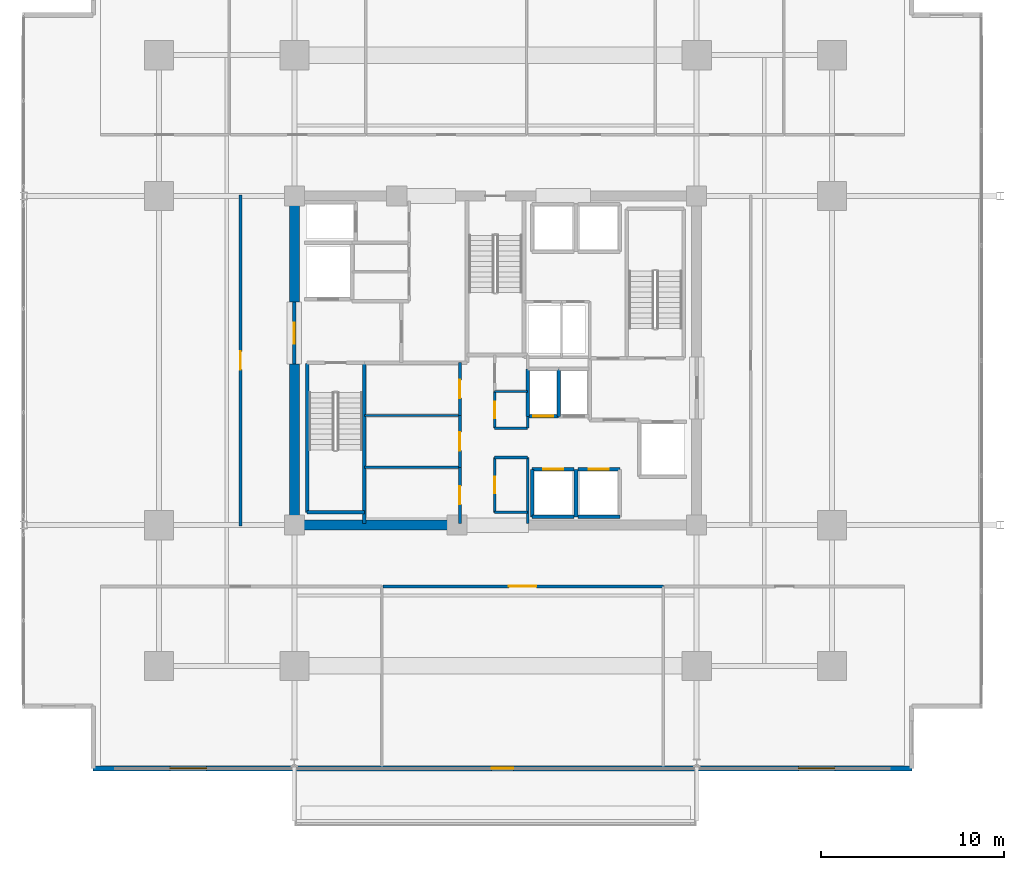
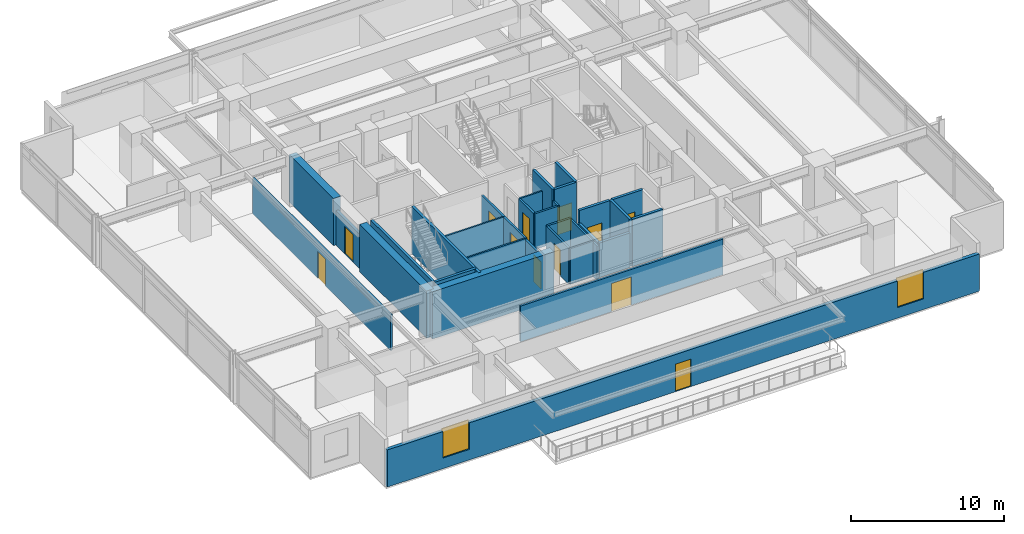
# One storey, part 15 of 23: 32 walls, 12 doors, 2 windows, 14 openings.
"""IFC4 building model written with IfcOpenShell, lengths in metres."""

from ifc_helpers import new_model, si_unit, direction, frame, frame_2d, origin, place, context, subcontext, project, spatial, rectangle, extrude, material, layer, layer_set, type_object, element, fill, save


model = new_model("IFC4")

# Units and contexts
model_context = context("Model", 3, precision=1e-05, world=origin(), true_north=direction((0.0, 1.0)))
body_context = subcontext(model_context, "Body", "Model", "MODEL_VIEW")
ifc_project = project(units=[si_unit("LENGTHUNIT", "METRE"), si_unit("AREAUNIT", "SQUARE_METRE"), si_unit("VOLUMEUNIT", "CUBIC_METRE"), si_unit("PLANEANGLEUNIT", "RADIAN"), si_unit("MASSUNIT", "GRAM", prefix="KILO")], contexts=[model_context])

# Site, building, storey
site_placement = place(None, origin())
site = spatial("IfcSite", under=ifc_project, at=site_placement, CompositionType="ELEMENT")
building_placement = place(site_placement, origin())
building = spatial("IfcBuilding", under=site, at=building_placement, Name="Kovane Verandah Tower", CompositionType="ELEMENT")
storey_placement = place(building_placement, frame((0.0, 0.0, 148.39990234375)))
storey = spatial("IfcBuildingStorey", under=building, at=storey_placement, Name="L34", CompositionType="ELEMENT", Elevation=148.39990234375)

# Walls
ifc_material_1 = material(Name="Fire-Rated Gypsum Stud Partition", Category="gypsum")
ifc_layer_1 = layer(ifc_material_1, 0.14990234375)
ifc_layer_set_1 = layer_set([ifc_layer_1], Name="Fire-Rated Gypsum Stud Partition")
wall_type_1 = type_object("IfcWallType", Name="WL-COR-150", PredefinedType="PARTITIONING", material=ifc_layer_set_1)
for number, where, z_axis, x_axis, name in (
    (1, (39.949951171875, 19.199951171875, 0.0), (0.0, 0.0, 1.0), (1.0, 0.0, 0.0), "L34 Central Core Strip South Wall"),
    (2, (39.949951171875, 22.199951171875, 0.0), (0.0, 0.0, 1.0), (1.0, 0.0, 0.0), "L34 Core Cross-Passage South Wall"),
    (3, (39.949951171875, 23.800048828125, 0.0), (0.0, 0.0, 1.0), (1.0, 0.0, 0.0), "L34 Core Cross-Passage North Wall"),
):
    element("IfcWall", number, at=place(storey_placement, frame(where, z_axis=z_axis, x_axis=x_axis)), inside=storey, type_object=wall_type_1, Name=name, PredefinedType="PARTITIONING", context=body_context, shape_type="SweptSolid", body=[
        extrude(rectangle(XDim=1.81005859375, YDim=0.14990234375, at=frame_2d((0.905029296875, 0.0))), origin(), (0.0, 0.0, 1.0), 2.85009765625),
    ])
wall_1_placement = place(storey_placement, frame((41.760009765625, 18.60009765625, 0.0), z_axis=(0.0, 0.0, 1.0), x_axis=(0.0, 1.0, 0.0)))
element("IfcWall", 4, at=wall_1_placement, inside=storey, type_object=wall_type_1, Name="L34 Central Core Strip Lower East Wall", PredefinedType="PARTITIONING", context=body_context, shape_type="SweptSolid", body=[
    extrude(rectangle(XDim=3.599853515625, YDim=0.14990234375, at=frame_2d((1.7998046875, 0.0))), origin(), (0.0, 0.0, 1.0), 2.755126953125),
])
wall_2_placement = place(storey_placement, frame((41.760009765625, 23.800048828125, 0.0), z_axis=(0.0, 0.0, 1.0), x_axis=(0.0, 1.0, 0.0)))
element("IfcWall", 5, at=wall_2_placement, inside=storey, type_object=wall_type_1, Name="L34 Central Core Strip Middle East Wall", PredefinedType="PARTITIONING", context=body_context, shape_type="SweptSolid", body=[
    extrude(rectangle(XDim=0.64990234375, YDim=0.14990234375, at=frame_2d((0.324951171875, 0.0))), origin(), (0.0, 0.0, 1.0), 2.85009765625),
])

# Wall, opening, door
wall_3_placement = place(storey_placement, frame((39.949951171875, 19.199951171875, 0.0), z_axis=(0.0, 0.0, 1.0), x_axis=(0.0, 1.0, 0.0)))
wall_3 = element("IfcWall", 6, at=wall_3_placement, inside=storey, type_object=wall_type_1, Name="L34 Male Toilet Partition", PredefinedType="PARTITIONING", context=body_context, shape_type="SweptSolid", body=[
    extrude(rectangle(XDim=3.0, YDim=0.14990234375, at=frame_2d((1.5, 0.0))), origin(), (0.0, 0.0, 1.0), 2.85009765625),
])
opening_1_placement = place(wall_3_placement, frame((1.050048828125, 0.0, 0.0)))
opening_1 = element("IfcOpeningElement", 7, at=opening_1_placement, cuts=wall_3, Name="Opening DR-L34-031", PredefinedType="OPENING", context=body_context, shape_type="SweptSolid", body=[
    extrude(rectangle(XDim=0.89990234375, YDim=2.10009765625, at=frame_2d((0.449951171875, 1.050048828125))), frame((0.0, 0.074951171875, 0.0), z_axis=(0.0, -1.0, 0.0), x_axis=(1.0, 0.0, 0.0)), (0.0, 0.0, 1.0), 0.14990234375),
])
ifc_material_2 = material(Name="Moisture-Resistant Laminate Washroom Door", Category="wood")
door_type_1 = type_object("IfcDoorType", Name="DR-WC-900", OperationType="SINGLE_SWING_LEFT", PredefinedType="DOOR", material=ifc_material_2)
door_1_placement = place(opening_1_placement, origin())
door_1 = element("IfcDoor", 8, at=door_1_placement, inside=storey, type_object=door_type_1, Name="L34 Male Toilet Door", OperationType="SINGLE_SWING_RIGHT", OverallHeight=2.10009765625, OverallWidth=0.89990234375, PredefinedType="DOOR", context=body_context, shape_type="SweptSolid", body=[
    extrude(rectangle(XDim=0.89990234375, YDim=2.10009765625, at=frame_2d((0.449951171875, 1.050048828125))), frame((0.0, 0.02490234375, 0.0), z_axis=(0.0, -1.0, 0.0), x_axis=(1.0, 0.0, 0.0)), (0.0, 0.0, 1.0), 0.050048828125),
])
fill(opening_1, door_1)

wall_4_placement = place(storey_placement, frame((39.949951171875, 23.800048828125, 0.0), z_axis=(0.0, 0.0, 1.0), x_axis=(0.0, 1.0, 0.0)))
wall_4 = element("IfcWall", 9, at=wall_4_placement, inside=storey, type_object=wall_type_1, Name="L34 Female Toilet Partition", PredefinedType="PARTITIONING", context=body_context, shape_type="SweptSolid", body=[
    extrude(rectangle(XDim=2.0, YDim=0.14990234375, at=frame_2d((1.0, 0.0))), origin(), (0.0, 0.0, 1.0), 2.85009765625),
])
opening_2_placement = place(wall_4_placement, frame((0.550048828125, 0.0, 0.0)))
opening_2 = element("IfcOpeningElement", 10, at=opening_2_placement, cuts=wall_4, Name="Opening DR-L34-030", PredefinedType="OPENING", context=body_context, shape_type="SweptSolid", body=[
    extrude(rectangle(XDim=0.89990234375, YDim=2.10009765625, at=frame_2d((0.449951171875, 1.050048828125))), frame((0.0, 0.074951171875, 0.0), z_axis=(0.0, -1.0, 0.0), x_axis=(1.0, 0.0, 0.0)), (0.0, 0.0, 1.0), 0.14990234375),
])
door_2_placement = place(opening_2_placement, origin())
door_2 = element("IfcDoor", 11, at=door_2_placement, inside=storey, type_object=door_type_1, Name="L34 Female Toilet Door", OperationType="SINGLE_SWING_LEFT", OverallHeight=2.10009765625, OverallWidth=0.89990234375, PredefinedType="DOOR", context=body_context, shape_type="SweptSolid", body=[
    extrude(rectangle(XDim=0.89990234375, YDim=2.10009765625, at=frame_2d((0.449951171875, 1.050048828125))), frame((0.0, 0.02490234375, 0.0), z_axis=(0.0, -1.0, 0.0), x_axis=(1.0, 0.0, 0.0)), (0.0, 0.0, 1.0), 0.050048828125),
])
fill(opening_2, door_2)

wall_5_placement = place(storey_placement, frame((38.050048828125, 18.60009765625, 0.0), z_axis=(0.0, 0.0, 1.0), x_axis=(0.0, 1.0, 0.0)))
wall_5 = element("IfcWall", 12, at=wall_5_placement, inside=storey, type_object=wall_type_1, Name="L34 Project Archive Room Partition", PredefinedType="PARTITIONING", context=body_context, shape_type="SweptSolid", body=[
    extrude(rectangle(XDim=3.059814453125, YDim=0.14990234375, at=frame_2d((1.52978515625, 0.0))), origin(), (0.0, 0.0, 1.0), 2.755126953125),
])
opening_3_placement = place(wall_5_placement, frame((1.030029296875, 0.0, 0.0)))
opening_3 = element("IfcOpeningElement", 13, at=opening_3_placement, cuts=wall_5, Name="Opening DR-L34-014", PredefinedType="OPENING", context=body_context, shape_type="SweptSolid", body=[
    extrude(rectangle(XDim=1.0, YDim=2.14990234375, at=frame_2d((0.5, 1.074951171875))), frame((0.0, 0.074951171875, 0.0), z_axis=(0.0, -1.0, 0.0), x_axis=(1.0, 0.0, 0.0)), (0.0, 0.0, 1.0), 0.14990234375),
])
ifc_material_3 = material(Name="FSC Spotted-Gum Timber Fire-Rated Office Door", Category="wood")
door_type_2 = type_object("IfcDoorType", Name="DR-OFF-1000", OperationType="SINGLE_SWING_LEFT", PredefinedType="DOOR", material=ifc_material_3)
door_3_placement = place(opening_3_placement, origin())
door_3 = element("IfcDoor", 14, at=door_3_placement, inside=storey, type_object=door_type_2, Name="L34 Project Archive Room Door", OperationType="SINGLE_SWING_RIGHT", OverallHeight=2.14990234375, OverallWidth=1.0, PredefinedType="DOOR", context=body_context, shape_type="SweptSolid", body=[
    extrude(rectangle(XDim=1.0, YDim=2.14990234375, at=frame_2d((0.5, 1.074951171875))), frame((0.0, 0.02490234375, 0.0), z_axis=(0.0, -1.0, 0.0), x_axis=(1.0, 0.0, 0.0)), (0.0, 0.0, 1.0), 0.050048828125),
])
fill(opening_3, door_3)

wall_6_placement = place(storey_placement, frame((38.050048828125, 21.659912109375, 0.0), z_axis=(0.0, 0.0, 1.0), x_axis=(0.0, 1.0, 0.0)))
wall_6 = element("IfcWall", 15, at=wall_6_placement, inside=storey, type_object=wall_type_1, Name="L34 First Aid and Wellness Room Partition", PredefinedType="PARTITIONING", context=body_context, shape_type="SweptSolid", body=[
    extrude(rectangle(XDim=2.840087890625, YDim=0.14990234375, at=frame_2d((1.419921875, 0.0))), origin(), (0.0, 0.0, 1.0), 2.85009765625),
])
opening_4_placement = place(wall_6_placement, frame((0.919921875, 0.0, 0.0)))
opening_4 = element("IfcOpeningElement", 16, at=opening_4_placement, cuts=wall_6, Name="Opening DR-L34-015", PredefinedType="OPENING", context=body_context, shape_type="SweptSolid", body=[
    extrude(rectangle(XDim=1.0, YDim=2.14990234375, at=frame_2d((0.5, 1.074951171875))), frame((0.0, 0.074951171875, 0.0), z_axis=(0.0, -1.0, 0.0), x_axis=(1.0, 0.0, 0.0)), (0.0, 0.0, 1.0), 0.14990234375),
])
door_4_placement = place(opening_4_placement, origin())
door_4 = element("IfcDoor", 17, at=door_4_placement, inside=storey, type_object=door_type_2, Name="L34 First Aid and Wellness Room Door", OperationType="SINGLE_SWING_LEFT", OverallHeight=2.14990234375, OverallWidth=1.0, PredefinedType="DOOR", context=body_context, shape_type="SweptSolid", body=[
    extrude(rectangle(XDim=1.0, YDim=2.14990234375, at=frame_2d((0.5, 1.074951171875))), frame((0.0, 0.02490234375, 0.0), z_axis=(0.0, -1.0, 0.0), x_axis=(1.0, 0.0, 0.0)), (0.0, 0.0, 1.0), 0.050048828125),
])
fill(opening_4, door_4)

wall_7_placement = place(storey_placement, frame((38.050048828125, 24.5, 0.0), z_axis=(0.0, 0.0, 1.0), x_axis=(0.0, 1.0, 0.0)))
wall_7 = element("IfcWall", 18, at=wall_7_placement, inside=storey, type_object=wall_type_1, Name="L34 Tea and Copy Hub Partition", PredefinedType="PARTITIONING", context=body_context, shape_type="SweptSolid", body=[
    extrude(rectangle(XDim=2.8798828125, YDim=0.14990234375, at=frame_2d((1.43994140625, 0.0))), origin(), (0.0, 0.0, 1.0), 2.85009765625),
])
opening_5_placement = place(wall_7_placement, frame((0.93994140625, 0.0, 0.0)))
opening_5 = element("IfcOpeningElement", 19, at=opening_5_placement, cuts=wall_7, Name="Opening DR-L34-016", PredefinedType="OPENING", context=body_context, shape_type="SweptSolid", body=[
    extrude(rectangle(XDim=1.0, YDim=2.14990234375, at=frame_2d((0.5, 1.074951171875))), frame((0.0, 0.074951171875, 0.0), z_axis=(0.0, -1.0, 0.0), x_axis=(1.0, 0.0, 0.0)), (0.0, 0.0, 1.0), 0.14990234375),
])
door_5_placement = place(opening_5_placement, origin())
door_5 = element("IfcDoor", 20, at=door_5_placement, inside=storey, type_object=door_type_2, Name="L34 Tea and Copy Hub Door", OperationType="SINGLE_SWING_RIGHT", OverallHeight=2.14990234375, OverallWidth=1.0, PredefinedType="DOOR", context=body_context, shape_type="SweptSolid", body=[
    extrude(rectangle(XDim=1.0, YDim=2.14990234375, at=frame_2d((0.5, 1.074951171875))), frame((0.0, 0.02490234375, 0.0), z_axis=(0.0, -1.0, 0.0), x_axis=(1.0, 0.0, 0.0)), (0.0, 0.0, 1.0), 0.050048828125),
])
fill(opening_5, door_5)

wall_8_placement = place(storey_placement, frame((33.853759765625, 15.14990234375, 0.0), z_axis=(0.0, 0.0, 1.0), x_axis=(1.0, 0.0, 0.0)))
wall_8 = element("IfcWall", 21, at=wall_8_placement, inside=storey, type_object=wall_type_1, Name="L34 Client Boardroom S2 Corridor Partition", PredefinedType="PARTITIONING", context=body_context, shape_type="SweptSolid", body=[
    extrude(rectangle(XDim=15.319091796875, YDim=0.14990234375, at=frame_2d((7.65966796875, 0.0))), origin(), (0.0, 0.0, 1.0), 2.85009765625),
])
opening_6_placement = place(wall_8_placement, frame((6.87451171875, 0.0, 0.0)))
opening_6 = element("IfcOpeningElement", 22, at=opening_6_placement, cuts=wall_8, Name="Opening DR-L34-026", PredefinedType="OPENING", context=body_context, shape_type="SweptSolid", body=[
    extrude(rectangle(XDim=1.5, YDim=2.25, at=frame_2d((0.75, 1.125))), frame((0.0, 0.074951171875, 0.0), z_axis=(0.0, -1.0, 0.0), x_axis=(1.0, 0.0, 0.0)), (0.0, 0.0, 1.0), 0.14990234375),
])
ifc_material_4 = material(Name="Glazed Timber Fire-Rated Double Door", Category="wood")
door_type_3 = type_object("IfcDoorType", Name="DR-CONF-1500", OperationType="DOUBLE_DOOR_SINGLE_SWING", PredefinedType="DOOR", material=ifc_material_4)
door_6_placement = place(opening_6_placement, origin())
door_6 = element("IfcDoor", 23, at=door_6_placement, inside=storey, type_object=door_type_3, Name="L34 Client Boardroom S2 Entrance Door", OperationType="DOUBLE_DOOR_SINGLE_SWING", OverallHeight=2.25, OverallWidth=1.5, PredefinedType="DOOR", context=body_context, shape_type="SweptSolid", body=[
    extrude(rectangle(XDim=1.5, YDim=2.25, at=frame_2d((0.75, 1.125))), frame((0.0, 0.02490234375, 0.0), z_axis=(0.0, -1.0, 0.0), x_axis=(1.0, 0.0, 0.0)), (0.0, 0.0, 1.0), 0.050048828125),
])
fill(opening_6, door_6)

wall_9_placement = place(storey_placement, frame((26.050048828125, 18.449951171875, 0.0), z_axis=(0.0, 0.0, 1.0), x_axis=(0.0, 1.0, 0.0)))
wall_9 = element("IfcWall", 24, at=wall_9_placement, inside=storey, type_object=wall_type_1, Name="L34 Focus Studio W1 Corridor Partition", PredefinedType="PARTITIONING", context=body_context, shape_type="SweptSolid", body=[
    extrude(rectangle(XDim=18.10009765625, YDim=0.14990234375, at=frame_2d((9.050048828125, 0.0))), origin(), (0.0, 0.0, 1.0), 2.85009765625),
])
opening_7_placement = place(wall_9_placement, frame((8.550048828125, 0.0, 0.0)))
opening_7 = element("IfcOpeningElement", 25, at=opening_7_placement, cuts=wall_9, Name="Opening DR-L34-032", PredefinedType="OPENING", context=body_context, shape_type="SweptSolid", body=[
    extrude(rectangle(XDim=1.0, YDim=2.14990234375, at=frame_2d((0.5, 1.074951171875))), frame((0.0, 0.074951171875, 0.0), z_axis=(0.0, -1.0, 0.0), x_axis=(1.0, 0.0, 0.0)), (0.0, 0.0, 1.0), 0.14990234375),
])
door_7_placement = place(opening_7_placement, origin())
door_7 = element("IfcDoor", 26, at=door_7_placement, inside=storey, type_object=door_type_2, Name="L34 Focus Studio W1 Entrance Door", OperationType="SINGLE_SWING_RIGHT", OverallHeight=2.14990234375, OverallWidth=1.0, PredefinedType="DOOR", context=body_context, shape_type="SweptSolid", body=[
    extrude(rectangle(XDim=1.0, YDim=2.14990234375, at=frame_2d((0.5, 1.074951171875))), frame((0.0, 0.02490234375, 0.0), z_axis=(0.0, -1.0, 0.0), x_axis=(1.0, 0.0, 0.0)), (0.0, 0.0, 1.0), 0.050048828125),
])
fill(opening_7, door_7)

# Walls
ifc_material_5 = material(Name="Concrete C60/75", Category="concrete")
ifc_layer_2 = layer(ifc_material_5, 0.550048828125)
ifc_layer_set_2 = layer_set([ifc_layer_2], Name="Concrete C60/75")
wall_type_2 = type_object("IfcWallType", Name="WL-CORE-550", PredefinedType="SHEAR", material=ifc_layer_set_2)
wall_10_placement = place(storey_placement, frame((29.0, 18.5, 0.0), z_axis=(0.0, 0.0, 1.0), x_axis=(1.0, 0.0, 0.0)))
element("IfcWall", 27, at=wall_10_placement, inside=storey, type_object=wall_type_2, Name="L34 Core Shear Wall CS-1", PredefinedType="SHEAR", context=body_context, shape_type="SweptSolid", body=[
    extrude(rectangle(XDim=9.199951171875, YDim=0.550048828125, at=frame_2d((4.60009765625, 0.0))), origin(), (0.0, 0.0, 1.0), 3.775146484375),
])
wall_11_placement = place(storey_placement, frame((29.0, 18.5, 0.0), z_axis=(0.0, 0.0, 1.0), x_axis=(0.0, 1.0, 0.0)))
element("IfcWall", 28, at=wall_11_placement, inside=storey, type_object=wall_type_2, Name="L34 Core Shear Wall CW-1", PredefinedType="SHEAR", context=body_context, shape_type="SweptSolid", body=[
    extrude(rectangle(XDim=8.800048828125, YDim=0.550048828125, at=frame_2d((4.39990234375, 0.0))), origin(), (0.0, 0.0, 1.0), 3.775146484375),
])
wall_12_placement = place(storey_placement, frame((29.0, 30.699951171875, 0.0), z_axis=(0.0, 0.0, 1.0), x_axis=(0.0, 1.0, 0.0)))
element("IfcWall", 29, at=wall_12_placement, inside=storey, type_object=wall_type_2, Name="L34 Core Shear Wall CW-2", PredefinedType="SHEAR", context=body_context, shape_type="SweptSolid", body=[
    extrude(rectangle(XDim=5.800048828125, YDim=0.550048828125, at=frame_2d((2.89990234375, 0.0))), origin(), (0.0, 0.0, 1.0), 3.775146484375),
])

# Wall, opening, door
ifc_material_6 = material(Name="Concrete C45/55 Fire Wall", Category="concrete")
ifc_layer_3 = layer(ifc_material_6, 0.199951171875)
ifc_layer_set_3 = layer_set([ifc_layer_3], Name="Concrete C45/55 Fire Wall")
wall_type_3 = type_object("IfcWallType", Name="WL-FFL-200", PredefinedType="PARTITIONING", material=ifc_layer_set_3)
wall_13_placement = place(storey_placement, frame((29.0, 27.300048828125, 0.0), z_axis=(0.0, 0.0, 1.0), x_axis=(0.0, 1.0, 0.0)))
wall_13 = element("IfcWall", 30, at=wall_13_placement, inside=storey, type_object=wall_type_3, Name="W-L34-FFLW-OUT", PredefinedType="PARTITIONING", context=body_context, shape_type="SweptSolid", body=[
    extrude(rectangle(XDim=3.39990234375, YDim=0.199951171875, at=frame_2d((1.699951171875, 0.0))), origin(), (0.0, 0.0, 1.0), 2.755126953125),
])
opening_8_placement = place(wall_13_placement, frame((1.125, 0.0, 0.0)))
opening_8 = element("IfcOpeningElement", 31, at=opening_8_placement, cuts=wall_13, Name="Opening DR-L34-007", PredefinedType="OPENING", context=body_context, shape_type="SweptSolid", body=[
    extrude(rectangle(XDim=1.14990234375, YDim=2.199951171875, at=frame_2d((0.574951171875, 1.10009765625))), frame((0.0, 0.10009765625, 0.0), z_axis=(0.0, -1.0, 0.0), x_axis=(1.0, 0.0, 0.0)), (0.0, 0.0, 1.0), 0.199951171875),
])
ifc_material_7 = material(Name="Smoke-Sealed Firefighting Lobby Door", Category="steel")
door_type_4 = type_object("IfcDoorType", Name="DR-FFL-1150", OperationType="SINGLE_SWING_LEFT", PredefinedType="DOOR", material=ifc_material_7)
door_8_placement = place(opening_8_placement, origin())
door_8 = element("IfcDoor", 32, at=door_8_placement, inside=storey, type_object=door_type_4, Name="L34 West Firefighting Lobby Corridor Door", OperationType="SINGLE_SWING_RIGHT", OverallHeight=2.199951171875, OverallWidth=1.14990234375, PredefinedType="DOOR", context=body_context, shape_type="SweptSolid", body=[
    extrude(rectangle(XDim=1.14990234375, YDim=2.199951171875, at=frame_2d((0.574951171875, 1.10009765625))), frame((0.0, 0.02490234375, 0.0), z_axis=(0.0, -1.0, 0.0), x_axis=(1.0, 0.0, 0.0)), (0.0, 0.0, 1.0), 0.050048828125),
])
fill(opening_8, door_8)

# Wall
ifc_material_8 = material(Name="Concrete C45/55 Lift Shaft Wall", Category="concrete")
ifc_layer_4 = layer(ifc_material_8, 0.199951171875)
ifc_layer_set_4 = layer_set([ifc_layer_4], Name="Concrete C45/55 Lift Shaft Wall")
wall_type_4 = type_object("IfcWallType", Name="WL-LIFT-200", PredefinedType="SOLIDWALL", material=ifc_layer_set_4)
wall_14_placement = place(storey_placement, frame((42.0, 18.949951171875, 0.0), z_axis=(0.0, 0.0, 1.0), x_axis=(1.0, 0.0, 0.0)))
element("IfcWall", 33, at=wall_14_placement, inside=storey, type_object=wall_type_4, Name="L34 Lift PL-M1 S Shaft Wall", PredefinedType="SOLIDWALL", context=body_context, shape_type="SweptSolid", body=[
    extrude(rectangle(XDim=2.300048828125, YDim=0.199951171875, at=frame_2d((1.14990234375, 0.0))), origin(), (0.0, 0.0, 1.0), 2.755126953125),
])

# Wall, opening, door
wall_15_placement = place(storey_placement, frame((44.300048828125, 21.550048828125, 0.0), z_axis=(0.0, 0.0, 1.0), x_axis=(-1.0, 0.0, 0.0)))
wall_15 = element("IfcWall", 34, at=wall_15_placement, inside=storey, type_object=wall_type_4, Name="L34 Lift PL-M1 N Shaft Wall", PredefinedType="SOLIDWALL", context=body_context, shape_type="SweptSolid", body=[
    extrude(rectangle(XDim=2.300048828125, YDim=0.199951171875, at=frame_2d((1.14990234375, 0.0))), origin(), (0.0, 0.0, 1.0), 3.775146484375),
])
opening_9_placement = place(wall_15_placement, frame((0.60009765625, 0.0, 0.0)))
opening_9 = element("IfcOpeningElement", 35, at=opening_9_placement, cuts=wall_15, Name="Opening LD-L34-004", PredefinedType="OPENING", context=body_context, shape_type="SweptSolid", body=[
    extrude(rectangle(XDim=1.10009765625, YDim=2.199951171875, at=frame_2d((0.550048828125, 1.10009765625))), frame((0.0, 0.10009765625, 0.0), z_axis=(0.0, -1.0, 0.0), x_axis=(1.0, 0.0, 0.0)), (0.0, 0.0, 1.0), 0.199951171875),
])
ifc_material_9 = material(Name="Brushed Stainless Steel Sliding Lift Landing Door", Category="steel")
door_type_5 = type_object("IfcDoorType", Name="DR-LIFT-1100", OperationType="SLIDING_TO_RIGHT", PredefinedType="DOOR", material=ifc_material_9)
door_9_placement = place(opening_9_placement, origin())
door_9 = element("IfcDoor", 36, at=door_9_placement, inside=storey, type_object=door_type_5, Name="L34 Lift PL-M1 Sliding Landing Door", OperationType="SLIDING_TO_RIGHT", OverallHeight=2.199951171875, OverallWidth=1.10009765625, PredefinedType="DOOR", context=body_context, shape_type="SweptSolid", body=[
    extrude(rectangle(XDim=1.10009765625, YDim=2.199951171875, at=frame_2d((0.550048828125, 1.10009765625))), frame((0.0, 0.02490234375, 0.0), z_axis=(0.0, -1.0, 0.0), x_axis=(1.0, 0.0, 0.0)), (0.0, 0.0, 1.0), 0.050048828125),
])
fill(opening_9, door_9)

# Walls
wall_16_placement = place(storey_placement, frame((42.0, 21.550048828125, 0.0), z_axis=(0.0, 0.0, 1.0), x_axis=(0.0, -1.0, 0.0)))
element("IfcWall", 37, at=wall_16_placement, inside=storey, type_object=wall_type_4, Name="L34 Lift PL-M1 W Shaft Wall", PredefinedType="SOLIDWALL", context=body_context, shape_type="SweptSolid", body=[
    extrude(rectangle(XDim=2.60009765625, YDim=0.199951171875, at=frame_2d((1.300048828125, 0.0))), origin(), (0.0, 0.0, 1.0), 2.755126953125),
])
wall_17_placement = place(storey_placement, frame((44.39990234375, 18.949951171875, 0.0), z_axis=(0.0, 0.0, 1.0), x_axis=(0.0, 1.0, 0.0)))
element("IfcWall", 38, at=wall_17_placement, inside=storey, type_object=wall_type_4, Name="L34 Lift PL-M1 and PL-M2 Shared Shaft Wall", PredefinedType="SOLIDWALL", context=body_context, shape_type="SweptSolid", body=[
    extrude(rectangle(XDim=2.60009765625, YDim=0.199951171875, at=frame_2d((1.300048828125, 0.0))), origin(), (0.0, 0.0, 1.0), 3.775146484375),
])
wall_18_placement = place(storey_placement, frame((44.5, 18.949951171875, 0.0), z_axis=(0.0, 0.0, 1.0), x_axis=(1.0, 0.0, 0.0)))
element("IfcWall", 39, at=wall_18_placement, inside=storey, type_object=wall_type_4, Name="L34 Lift PL-M2 S Shaft Wall", PredefinedType="SOLIDWALL", context=body_context, shape_type="SweptSolid", body=[
    extrude(rectangle(XDim=2.300048828125, YDim=0.199951171875, at=frame_2d((1.14990234375, 0.0))), origin(), (0.0, 0.0, 1.0), 3.775146484375),
])

# Wall, opening, door
wall_19_placement = place(storey_placement, frame((46.800048828125, 21.550048828125, 0.0), z_axis=(0.0, 0.0, 1.0), x_axis=(-1.0, 0.0, 0.0)))
wall_19 = element("IfcWall", 40, at=wall_19_placement, inside=storey, type_object=wall_type_4, Name="L34 Lift PL-M2 N Shaft Wall", PredefinedType="SOLIDWALL", context=body_context, shape_type="SweptSolid", body=[
    extrude(rectangle(XDim=2.300048828125, YDim=0.199951171875, at=frame_2d((1.14990234375, 0.0))), origin(), (0.0, 0.0, 1.0), 3.775146484375),
])
opening_10_placement = place(wall_19_placement, frame((0.60009765625, 0.0, 0.0)))
opening_10 = element("IfcOpeningElement", 41, at=opening_10_placement, cuts=wall_19, Name="Opening LD-L34-005", PredefinedType="OPENING", context=body_context, shape_type="SweptSolid", body=[
    extrude(rectangle(XDim=1.10009765625, YDim=2.199951171875, at=frame_2d((0.550048828125, 1.10009765625))), frame((0.0, 0.10009765625, 0.0), z_axis=(0.0, -1.0, 0.0), x_axis=(1.0, 0.0, 0.0)), (0.0, 0.0, 1.0), 0.199951171875),
])
door_10_placement = place(opening_10_placement, origin())
door_10 = element("IfcDoor", 42, at=door_10_placement, inside=storey, type_object=door_type_5, Name="L34 Lift PL-M2 Sliding Landing Door", OperationType="SLIDING_TO_RIGHT", OverallHeight=2.199951171875, OverallWidth=1.10009765625, PredefinedType="DOOR", context=body_context, shape_type="SweptSolid", body=[
    extrude(rectangle(XDim=1.10009765625, YDim=2.199951171875, at=frame_2d((0.550048828125, 1.10009765625))), frame((0.0, 0.02490234375, 0.0), z_axis=(0.0, -1.0, 0.0), x_axis=(1.0, 0.0, 0.0)), (0.0, 0.0, 1.0), 0.050048828125),
])
fill(opening_10, door_10)

wall_20_placement = place(storey_placement, frame((41.760009765625, 24.449951171875, 0.0), z_axis=(0.0, 0.0, 1.0), x_axis=(1.0, 0.0, 0.0)))
wall_20 = element("IfcWall", 43, at=wall_20_placement, inside=storey, type_object=wall_type_4, Name="L34 Lift PL-M3 S Shaft Wall", PredefinedType="SOLIDWALL", context=body_context, shape_type="SweptSolid", body=[
    extrude(rectangle(XDim=1.679931640625, YDim=0.199951171875, at=frame_2d((0.83984375, 0.0))), origin(), (0.0, 0.0, 1.0), 3.775146484375),
])
opening_11_placement = place(wall_20_placement, frame((0.2900390625, 0.0, 0.0)))
opening_11 = element("IfcOpeningElement", 44, at=opening_11_placement, cuts=wall_20, Name="Opening LD-L34-006", PredefinedType="OPENING", context=body_context, shape_type="SweptSolid", body=[
    extrude(rectangle(XDim=1.10009765625, YDim=2.199951171875, at=frame_2d((0.550048828125, 1.10009765625))), frame((0.0, 0.10009765625, 0.0), z_axis=(0.0, -1.0, 0.0), x_axis=(1.0, 0.0, 0.0)), (0.0, 0.0, 1.0), 0.199951171875),
])
door_11_placement = place(opening_11_placement, origin())
door_11 = element("IfcDoor", 45, at=door_11_placement, inside=storey, type_object=door_type_5, Name="L34 Lift PL-M3 Sliding Landing Door", OperationType="SLIDING_TO_RIGHT", OverallHeight=2.199951171875, OverallWidth=1.10009765625, PredefinedType="DOOR", context=body_context, shape_type="SweptSolid", body=[
    extrude(rectangle(XDim=1.10009765625, YDim=2.199951171875, at=frame_2d((0.550048828125, 1.10009765625))), frame((0.0, 0.02490234375, 0.0), z_axis=(0.0, -1.0, 0.0), x_axis=(1.0, 0.0, 0.0)), (0.0, 0.0, 1.0), 0.050048828125),
])
fill(opening_11, door_11)

# Walls
for number, where, z_axis, x_axis, name in (
    (46, (41.760009765625, 27.050048828125, 0.0), (0.0, 0.0, 1.0), (0.0, -1.0, 0.0), "L34 Lift PL-M3 W Shaft Wall"),
    (47, (43.449951171875, 24.449951171875, 0.0), (0.0, 0.0, 1.0), (0.0, 1.0, 0.0), "L34 Lift PL-M3 and PL-M4 Shared Shaft Wall"),
):
    element("IfcWall", number, at=place(storey_placement, frame(where, z_axis=z_axis, x_axis=x_axis)), inside=storey, type_object=wall_type_4, Name=name, PredefinedType="SOLIDWALL", context=body_context, shape_type="SweptSolid", body=[
        extrude(rectangle(XDim=2.60009765625, YDim=0.199951171875, at=frame_2d((1.300048828125, 0.0))), origin(), (0.0, 0.0, 1.0), 3.775146484375),
    ])
ifc_material_10 = material(Name="Acoustic Fire-Rated Gypsum Partition", Category="gypsum")
ifc_layer_5 = layer(ifc_material_10, 0.1201171875)
ifc_layer_set_5 = layer_set([ifc_layer_5], Name="Acoustic Fire-Rated Gypsum Partition")
wall_type_5 = type_object("IfcWallType", Name="WL-PART-120", PredefinedType="PARTITIONING", material=ifc_layer_set_5)
wall_21_placement = place(storey_placement, frame((39.949951171875, 25.800048828125, 0.0), z_axis=(0.0, 0.0, 1.0), x_axis=(1.0, 0.0, 0.0)))
element("IfcWall", 48, at=wall_21_placement, inside=storey, type_object=wall_type_5, Name="L34 Central Core Strip Upper Dividing Partition", PredefinedType="PARTITIONING", context=body_context, shape_type="SweptSolid", body=[
    extrude(rectangle(XDim=1.81005859375, YDim=0.1201171875, at=frame_2d((0.905029296875, 0.0))), origin(), (0.0, 0.0, 1.0), 2.85009765625),
])
for number, where, z_axis, x_axis, name in (
    (49, (32.820068359375, 21.659912109375, 0.0), (0.0, 0.0, 1.0), (1.0, 0.0, 0.0), "L34 Core Support Lower Dividing Partition"),
    (50, (32.820068359375, 24.5, 0.0), (0.0, 0.0, 1.0), (1.0, 0.0, 0.0), "L34 Core Support Upper Dividing Partition"),
):
    element("IfcWall", number, at=place(storey_placement, frame(where, z_axis=z_axis, x_axis=x_axis)), inside=storey, type_object=wall_type_5, Name=name, PredefinedType="PARTITIONING", context=body_context, shape_type="SweptSolid", body=[
        extrude(rectangle(XDim=5.22998046875, YDim=0.1201171875, at=frame_2d((2.614990234375, 0.0))), origin(), (0.0, 0.0, 1.0), 2.85009765625),
    ])
ifc_material_11 = material(Name="Concrete C45/55", Category="concrete")
ifc_layer_6 = layer(ifc_material_11, 0.199951171875)
ifc_layer_set_6 = layer_set([ifc_layer_6], Name="Concrete C45/55")
wall_type_6 = type_object("IfcWallType", Name="WL-SHAFT-200", PredefinedType="SOLIDWALL", material=ifc_layer_set_6)
wall_22_placement = place(storey_placement, frame((29.699951171875, 19.199951171875, 0.0), z_axis=(0.0, 0.0, 1.0), x_axis=(0.0, 1.0, 0.0)))
element("IfcWall", 51, at=wall_22_placement, inside=storey, type_object=wall_type_6, Name="W-L34-ST01-W", PredefinedType="SOLIDWALL", context=body_context, shape_type="SweptSolid", body=[
    extrude(rectangle(XDim=8.150146484375, YDim=0.199951171875, at=frame_2d((4.0751953125, 0.0))), origin(), (0.0, 0.0, 1.0), 3.775146484375),
])
wall_23_placement = place(storey_placement, frame((29.699951171875, 19.199951171875, 0.0), z_axis=(0.0, 0.0, 1.0), x_axis=(1.0, 0.0, 0.0)))
element("IfcWall", 52, at=wall_23_placement, inside=storey, type_object=wall_type_6, Name="W-L34-ST01-S", PredefinedType="SOLIDWALL", context=body_context, shape_type="SweptSolid", body=[
    extrude(rectangle(XDim=3.1201171875, YDim=0.199951171875, at=frame_2d((1.56005859375, 0.0))), origin(), (0.0, 0.0, 1.0), 3.775146484375),
])
wall_24_placement = place(storey_placement, frame((32.820068359375, 18.60009765625, 0.0), z_axis=(0.0, 0.0, 1.0), x_axis=(0.0, 1.0, 0.0)))
element("IfcWall", 53, at=wall_24_placement, inside=storey, type_object=wall_type_6, Name="W-L34-ST01-E", PredefinedType="SOLIDWALL", context=body_context, shape_type="SweptSolid", body=[
    extrude(rectangle(XDim=8.77978515625, YDim=0.199951171875, at=frame_2d((4.389892578125, 0.0))), origin(), (0.0, 0.0, 1.0), 3.775146484375),
])

# Wall, openings, door, windows
ifc_material_12 = material(Name="Concrete C45/55 Insulated Spandrel Wall", Category="concrete")
ifc_layer_7 = layer(ifc_material_12, 0.260009765625)
ifc_layer_set_7 = layer_set([ifc_layer_7], Name="Concrete C45/55 Insulated Spandrel Wall")
wall_type_7 = type_object("IfcWallType", Name="WL-SPANDREL-260", PredefinedType="PARAPET", material=ifc_layer_set_7)
wall_25_placement = place(storey_placement, frame((17.994873046875, 5.1962890625, 0.0), z_axis=(0.0, 0.0, 1.0), x_axis=(1.0, 0.0, 0.0)))
wall_25 = element("IfcWall", 54, at=wall_25_placement, inside=storey, type_object=wall_type_7, Name="L34 S Verandah Access Facade Wall", PredefinedType="PARAPET", context=body_context, shape_type="SweptSolid", body=[
    extrude(rectangle(XDim=44.7685546875, YDim=0.260009765625, at=frame_2d((22.38427734375, 0.0))), origin(), (0.0, 0.0, 1.0), 2.97021484375),
])
opening_12_placement = place(wall_25_placement, frame((4.199951171875, 0.0, 0.85009765625)))
opening_12 = element("IfcOpeningElement", 55, at=opening_12_placement, cuts=wall_25, Name="Opening W-04", PredefinedType="OPENING", context=body_context, shape_type="SweptSolid", body=[
    extrude(rectangle(XDim=2.0, YDim=2.300048828125, at=frame_2d((1.0, 1.14990234375))), frame((0.0, 0.1298828125, 0.0), z_axis=(0.0, -1.0, 0.0), x_axis=(1.0, 0.0, 0.0)), (0.0, 0.0, 1.0), 0.260009765625),
])
opening_13_placement = place(wall_25_placement, frame((21.784423828125, 0.0, 0.0)))
opening_13 = element("IfcOpeningElement", 56, at=opening_13_placement, cuts=wall_25, Name="Opening DR-L34-002", PredefinedType="OPENING", context=body_context, shape_type="SweptSolid", body=[
    extrude(rectangle(XDim=1.199951171875, YDim=2.199951171875, at=frame_2d((0.60009765625, 1.10009765625))), frame((0.0, 0.1298828125, 0.0), z_axis=(0.0, -1.0, 0.0), x_axis=(1.0, 0.0, 0.0)), (0.0, 0.0, 1.0), 0.260009765625),
])
opening_14_placement = place(wall_25_placement, frame((38.568603515625, 0.0, 0.85009765625)))
opening_14 = element("IfcOpeningElement", 57, at=opening_14_placement, cuts=wall_25, Name="Opening W-04", PredefinedType="OPENING", context=body_context, shape_type="SweptSolid", body=[
    extrude(rectangle(XDim=2.0, YDim=2.300048828125, at=frame_2d((1.0, 1.14990234375))), frame((0.0, 0.1298828125, 0.0), z_axis=(0.0, -1.0, 0.0), x_axis=(1.0, 0.0, 0.0)), (0.0, 0.0, 1.0), 0.260009765625),
])
ifc_material_13 = material(Name="Cyclone-Rated Glazed Balcony Leaf Door", Category="aluminium")
door_type_6 = type_object("IfcDoorType", Name="DR-BAL-1200x2200", OperationType="SINGLE_SWING_LEFT", PredefinedType="DOOR", material=ifc_material_13)
door_12_placement = place(opening_13_placement, origin())
door_12 = element("IfcDoor", 58, at=door_12_placement, inside=storey, type_object=door_type_6, Name="L34 S Planted Balcony Access Door", OperationType="SINGLE_SWING_LEFT", OverallHeight=2.199951171875, OverallWidth=1.199951171875, PredefinedType="DOOR", context=body_context, shape_type="SweptSolid", body=[
    extrude(rectangle(XDim=1.199951171875, YDim=2.199951171875, at=frame_2d((0.60009765625, 1.10009765625))), frame((0.0, 0.02490234375, 0.0), z_axis=(0.0, -1.0, 0.0), x_axis=(1.0, 0.0, 0.0)), (0.0, 0.0, 1.0), 0.050048828125),
])
fill(opening_13, door_12)
ifc_material_14 = material(Name="Clear Low-E Laminated Double Glazing in Anodised Frame", Category="glass")
window_type = type_object("IfcWindowType", Name="WN-FIXED-2000x2300", PartitioningType="SINGLE_PANEL", PredefinedType="WINDOW", material=ifc_material_14)
window_1_placement = place(opening_12_placement, origin())
window_1 = element("IfcWindow", 59, at=window_1_placement, inside=storey, type_object=window_type, Name="L34 S Verandah View Window 1", OverallHeight=2.300048828125, OverallWidth=2.0, PartitioningType="SINGLE_PANEL", PredefinedType="WINDOW", context=body_context, shape_type="SweptSolid", body=[
    extrude(rectangle(XDim=2.0, YDim=2.300048828125, at=frame_2d((1.0, 1.14990234375))), frame((0.0, 0.030029296875, 0.0), z_axis=(0.0, -1.0, 0.0), x_axis=(1.0, 0.0, 0.0)), (0.0, 0.0, 1.0), 0.06005859375),
])
fill(opening_12, window_1)
window_2_placement = place(opening_14_placement, origin())
window_2 = element("IfcWindow", 60, at=window_2_placement, inside=storey, type_object=window_type, Name="L34 S Verandah View Window 2", OverallHeight=2.300048828125, OverallWidth=2.0, PartitioningType="SINGLE_PANEL", PredefinedType="WINDOW", context=body_context, shape_type="SweptSolid", body=[
    extrude(rectangle(XDim=2.0, YDim=2.300048828125, at=frame_2d((1.0, 1.14990234375))), frame((0.0, 0.030029296875, 0.0), z_axis=(0.0, -1.0, 0.0), x_axis=(1.0, 0.0, 0.0)), (0.0, 0.0, 1.0), 0.06005859375),
])
fill(opening_14, window_2)

save(model, "model.ifc")
